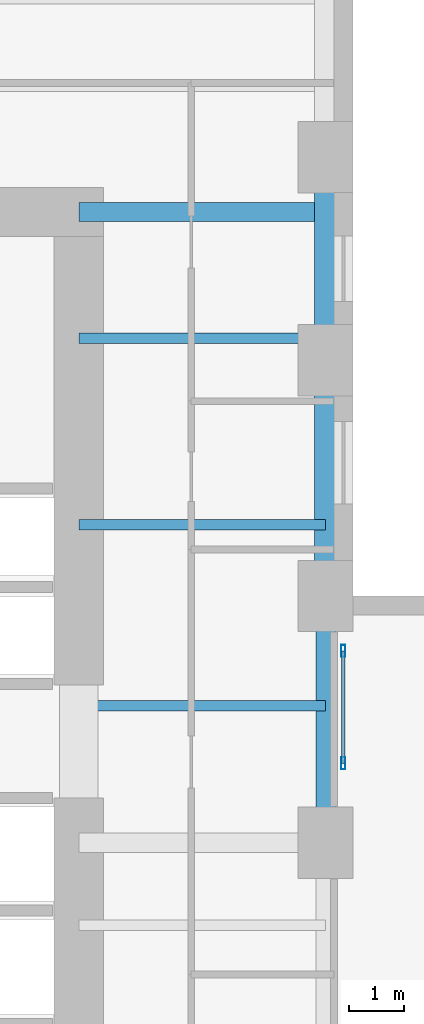
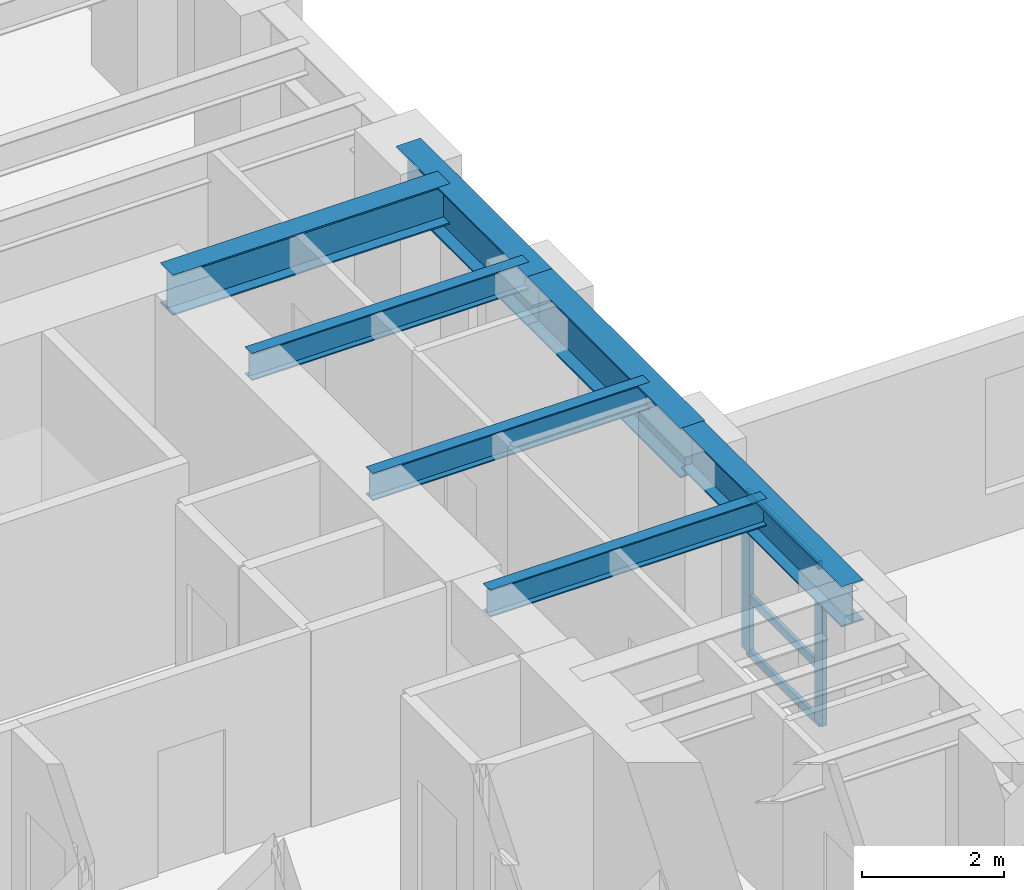
# One storey, part 2 of 12: 7 beams, 5 members, 1 element without a shape of its own.
"""IFC4 building model written with IfcOpenShell, lengths in metres."""

from ifc_helpers import new_model, si_unit, direction, frame, origin, origin_2d, place, context, subcontext, project, spatial, hollow_rectangle, i_section, extrude, source, transform, mapped, material, layer, layer_set, material_profile, profile_set, type_object, element, aggregate, save


model = new_model("IFC4")

# Units and contexts
model_context = context("Model", 3, precision=1e-05, world=origin(), true_north=direction((0.0, 1.0)))
body_context = subcontext(model_context, "Body", "Model", "MODEL_VIEW")
ifc_project = project(units=[si_unit("LENGTHUNIT", "METRE"), si_unit("AREAUNIT", "SQUARE_METRE"), si_unit("VOLUMEUNIT", "CUBIC_METRE"), si_unit("PLANEANGLEUNIT", "RADIAN"), si_unit("MASSUNIT", "GRAM", prefix="KILO")], contexts=[model_context])

# Site, building, storey
site_placement = place(None, origin())
site = spatial("IfcSite", under=ifc_project, at=site_placement, CompositionType="ELEMENT")
building_placement = place(site_placement, origin())
building = spatial("IfcBuilding", under=site, at=building_placement, Name="Kharzan Plaza Tower", CompositionType="ELEMENT")
storey_placement = place(building_placement, frame((0.0, 0.0, 51.300048828125)))
storey = spatial("IfcBuildingStorey", under=building, at=storey_placement, Name="L13", CompositionType="ELEMENT", Elevation=51.300048828125)

# Beams
ifc_material_1 = material(Name="Steel S355", Category="steel")
ifc_material_profile_1 = material_profile(ifc_material_1, i_section(OverallWidth=0.35498046875, OverallDepth=0.695068359375, WebThickness=0.015380859375, FlangeThickness=0.02490234375, at=origin_2d()), Name="W690x217")
ifc_profile_set_1 = profile_set([ifc_material_profile_1], Name="Steel S355")
beam_type_1 = type_object("IfcBeamType", Name="BM-FG690A", PredefinedType="BEAM", material=ifc_profile_set_1)
shared_shape_1 = source(origin(), body_context, "Body", "SweptSolid", [
    extrude(i_section(OverallWidth=0.35498046875, OverallDepth=0.695068359375, WebThickness=0.015380859375, FlangeThickness=0.02490234375, at=origin_2d()), origin(), (0.0, 0.0, 1.0), 4.5),
])
for number, where, z_axis, x_axis, name in (
    (1, (14.5, 29.5, 3.032470703125), (1.0, 0.0, 0.0), (0.0, 1.0, 0.0), "L13 Core-A East Floor Girder 3"),
    (2, (19.0, 18.0, 3.032470703125), (0.0, 1.0, 0.0), (-1.0, 0.0, 0.0), "L13 Interior Frame Girder"),
):
    element("IfcBeam", number, at=place(storey_placement, frame(where, z_axis=z_axis, x_axis=x_axis)), inside=storey, type_object=beam_type_1, Name=name, PredefinedType="BEAM", context=body_context, shape_type="MappedRepresentation", body=[
        mapped(shared_shape_1, transform((0.0, 0.0, 0.0), x_axis=(1.0, 0.0, 0.0), y_axis=(0.0, 1.0, 0.0), z_axis=(0.0, 0.0, 1.0))),
    ])
ifc_material_profile_2 = material_profile(ifc_material_1, i_section(OverallWidth=0.194091796875, OverallDepth=0.468994140625, WebThickness=0.011474609375, FlangeThickness=0.0205078125, at=origin_2d()), Name="W460x106")
ifc_profile_set_2 = profile_set([ifc_material_profile_2], Name="Steel S355")
beam_type_2 = type_object("IfcBeamType", Name="BM-JST460", PredefinedType="JOIST", material=ifc_profile_set_2)
shared_shape_2 = source(origin(), body_context, "Body", "SweptSolid", [
    extrude(i_section(OverallWidth=0.194091796875, OverallDepth=0.468994140625, WebThickness=0.011474609375, FlangeThickness=0.0205078125, at=origin_2d()), origin(), (0.0, 0.0, 1.0), 4.5),
])
for number, where, z_axis, x_axis, name in (
    (3, (14.5, 20.5, 3.1455078125), (1.0, 0.0, 0.0), (0.0, 1.0, 0.0), "L13 Wing A East Infill Joist 4"),
    (4, (14.5, 23.800048828125, 3.1455078125), (1.0, 0.0, 0.0), (0.0, 1.0, 0.0), "L13 Wing A East Infill Joist 5"),
    (5, (14.5, 27.199951171875, 3.1455078125), (1.0, 0.0, 0.0), (0.0, 1.0, 0.0), "L13 Wing A East Infill Joist 6"),
):
    element("IfcBeam", number, at=place(storey_placement, frame(where, z_axis=z_axis, x_axis=x_axis)), inside=storey, type_object=beam_type_2, Name=name, PredefinedType="JOIST", context=body_context, shape_type="MappedRepresentation", body=[
        mapped(shared_shape_2, transform((0.0, 0.0, 0.0), x_axis=(1.0, 0.0, 0.0), y_axis=(0.0, 1.0, 0.0), z_axis=(0.0, 0.0, 1.0))),
    ])
ifc_material_profile_3 = material_profile(ifc_material_1, i_section(OverallWidth=0.40087890625, OverallDepth=0.85498046875, WebThickness=0.018310546875, FlangeThickness=0.029296875, at=origin_2d()), Name="W840x299")
ifc_profile_set_3 = profile_set([ifc_material_profile_3], Name="Steel S355")
beam_type_3 = type_object("IfcBeamType", Name="BM-SP840A", PredefinedType="SPANDREL", material=ifc_profile_set_3)
shared_shape_3 = source(origin(), body_context, "Body", "SweptSolid", [
    extrude(i_section(OverallWidth=0.40087890625, OverallDepth=0.85498046875, WebThickness=0.018310546875, FlangeThickness=0.029296875, at=origin_2d()), origin(), (0.0, 0.0, 1.0), 4.300048828125),
])
beam_1_placement = place(storey_placement, frame((19.0, 22.5, 2.952392578125), z_axis=(0.0, 1.0, 0.0), x_axis=(-1.0, 0.0, 0.0)))
element("IfcBeam", 6, at=beam_1_placement, inside=storey, type_object=beam_type_3, Name="L13 Perimeter Tube Spandrel", PredefinedType="SPANDREL", context=body_context, shape_type="MappedRepresentation", body=[
    mapped(shared_shape_3, transform((0.0, 0.0, 0.0), x_axis=(1.0, 0.0, 0.0), y_axis=(0.0, 1.0, 0.0), z_axis=(0.0, 0.0, 1.0))),
])
shared_shape_4 = source(origin(), body_context, "Body", "SweptSolid", [
    extrude(i_section(OverallWidth=0.40087890625, OverallDepth=0.85498046875, WebThickness=0.018310546875, FlangeThickness=0.029296875, at=origin_2d()), origin(), (0.0, 0.0, 1.0), 3.699951171875),
])
beam_2_placement = place(storey_placement, frame((19.0, 26.800048828125, 2.952392578125), z_axis=(0.0, 1.0, 0.0), x_axis=(-1.0, 0.0, 0.0)))
element("IfcBeam", 7, at=beam_2_placement, inside=storey, type_object=beam_type_3, Name="L13 Perimeter Tube Spandrel", PredefinedType="SPANDREL", context=body_context, shape_type="MappedRepresentation", body=[
    mapped(shared_shape_4, transform((0.0, 0.0, 0.0), x_axis=(1.0, 0.0, 0.0), y_axis=(0.0, 1.0, 0.0), z_axis=(0.0, 0.0, 1.0))),
])

# Curtain wall, members
ifc_material_2 = material(Name="Unitised Bronze-Anodized Aluminium and Low-E Glass", Category="aluminium")
ifc_layer = layer(ifc_material_2, 0.199951171875)
ifc_layer_set = layer_set([ifc_layer], Name="Unitised Bronze-Anodized Aluminium and Low-E Glass")
curtain_wall_type = type_object("IfcCurtainWallType", Name="CW-SLOT-3", PredefinedType="NOTDEFINED", material=ifc_layer_set)
curtain_wall_placement = place(storey_placement, origin())
curtain_wall = element("IfcCurtainWall", 8, at=curtain_wall_placement, inside=storey, type_object=curtain_wall_type, Name="L13 West Slot Recessed Spine Curtain Wall", PredefinedType="NOTDEFINED")
ifc_material_3 = material(Name="Anodized Bronze Aluminium", Category="aluminium")
ifc_material_profile_4 = material_profile(ifc_material_3, hollow_rectangle(XDim=0.074951171875, YDim=0.219970703125, WallThickness=0.00390625, at=origin_2d()), Name="ALU-M220x75x4")
ifc_profile_set_4 = profile_set([ifc_material_profile_4], Name="Anodized Bronze Aluminium")
member_type_1 = type_object("IfcMemberType", Name="MEM-CW-MUL200", PredefinedType="MULLION", material=ifc_profile_set_4)
shared_shape_5 = source(origin(), body_context, "Body", "SweptSolid", [
    extrude(hollow_rectangle(XDim=0.074951171875, YDim=0.219970703125, WallThickness=0.00390625, at=origin_2d()), origin(), (0.0, 0.0, 1.0), 2.699951171875),
])
member_1_placement = place(storey_placement, frame((19.320068359375, 19.449951171875, 0.0), z_axis=(0.0, 0.0, 1.0), x_axis=(1.0, 0.0, 0.0)))
member_1 = element("IfcMember", 9, at=member_1_placement, type_object=member_type_1, Name="L13 Curtain-Wall Mullion 00", PredefinedType="MULLION", context=body_context, shape_type="MappedRepresentation", body=[
    mapped(shared_shape_5, transform((0.0, 0.0, 0.0), x_axis=(1.0, 0.0, 0.0), y_axis=(0.0, 1.0, 0.0), z_axis=(0.0, 0.0, 1.0))),
])
member_2_placement = place(storey_placement, frame((19.320068359375, 21.5, 0.0), z_axis=(0.0, 0.0, 1.0), x_axis=(1.0, 0.0, 0.0)))
member_2 = element("IfcMember", 10, at=member_2_placement, type_object=member_type_1, Name="L13 Curtain-Wall Mullion 01", PredefinedType="MULLION", context=body_context, shape_type="MappedRepresentation", body=[
    mapped(shared_shape_5, transform((0.0, 0.0, 0.0), x_axis=(1.0, 0.0, 0.0), y_axis=(0.0, 1.0, 0.0), z_axis=(0.0, 0.0, 1.0))),
])
ifc_material_profile_5 = material_profile(ifc_material_3, hollow_rectangle(XDim=0.06005859375, YDim=0.14990234375, WallThickness=0.00341796875, at=origin_2d()), Name="ALU-T150x60x3.5")
ifc_profile_set_5 = profile_set([ifc_material_profile_5], Name="Anodized Bronze Aluminium")
member_type_2 = type_object("IfcMemberType", Name="MEM-CW-TRN150", PredefinedType="USERDEFINED", material=ifc_profile_set_5)
shared_shape_6 = source(origin(), body_context, "Body", "SweptSolid", [
    extrude(hollow_rectangle(XDim=0.06005859375, YDim=0.14990234375, WallThickness=0.00341796875, at=origin_2d()), origin(), (0.0, 0.0, 1.0), 2.050048828125),
])
member_3_placement = place(storey_placement, frame((19.320068359375, 19.449951171875, 0.0), z_axis=(0.0, 1.0, 0.0), x_axis=(-1.0, 0.0, 0.0)))
member_3 = element("IfcMember", 11, at=member_3_placement, type_object=member_type_2, Name="L13 Curtain-Wall Transom 1", ObjectType="TRANSOM", PredefinedType="USERDEFINED", context=body_context, shape_type="MappedRepresentation", body=[
    mapped(shared_shape_6, transform((0.0, 0.0, 0.0), x_axis=(1.0, 0.0, 0.0), y_axis=(0.0, 1.0, 0.0), z_axis=(0.0, 0.0, 1.0))),
])
member_4_placement = place(storey_placement, frame((19.320068359375, 19.449951171875, 0.949951171875), z_axis=(0.0, 1.0, 0.0), x_axis=(-1.0, 0.0, 0.0)))
member_4 = element("IfcMember", 12, at=member_4_placement, type_object=member_type_2, Name="L13 Curtain-Wall Transom 2", ObjectType="TRANSOM", PredefinedType="USERDEFINED", context=body_context, shape_type="MappedRepresentation", body=[
    mapped(shared_shape_6, transform((0.0, 0.0, 0.0), x_axis=(1.0, 0.0, 0.0), y_axis=(0.0, 1.0, 0.0), z_axis=(0.0, 0.0, 1.0))),
])
member_5_placement = place(storey_placement, frame((19.320068359375, 19.449951171875, 2.699951171875), z_axis=(0.0, 1.0, 0.0), x_axis=(-1.0, 0.0, 0.0)))
member_5 = element("IfcMember", 13, at=member_5_placement, type_object=member_type_2, Name="L13 Curtain-Wall Transom 3", ObjectType="TRANSOM", PredefinedType="USERDEFINED", context=body_context, shape_type="MappedRepresentation", body=[
    mapped(shared_shape_6, transform((0.0, 0.0, 0.0), x_axis=(1.0, 0.0, 0.0), y_axis=(0.0, 1.0, 0.0), z_axis=(0.0, 0.0, 1.0))),
])
aggregate(curtain_wall, [member_1, member_2, member_3, member_4, member_5])

save(model, "model.ifc")
